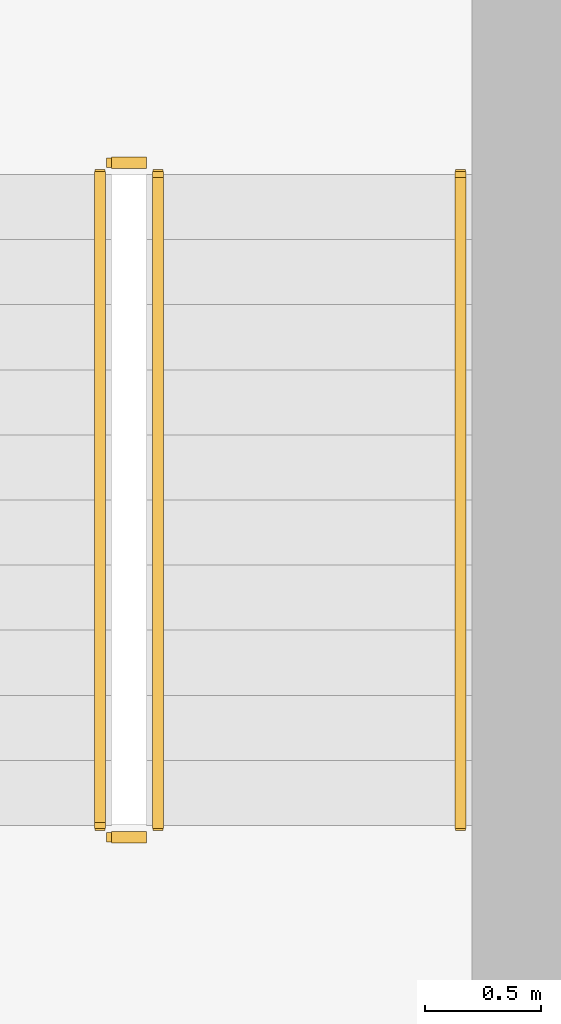
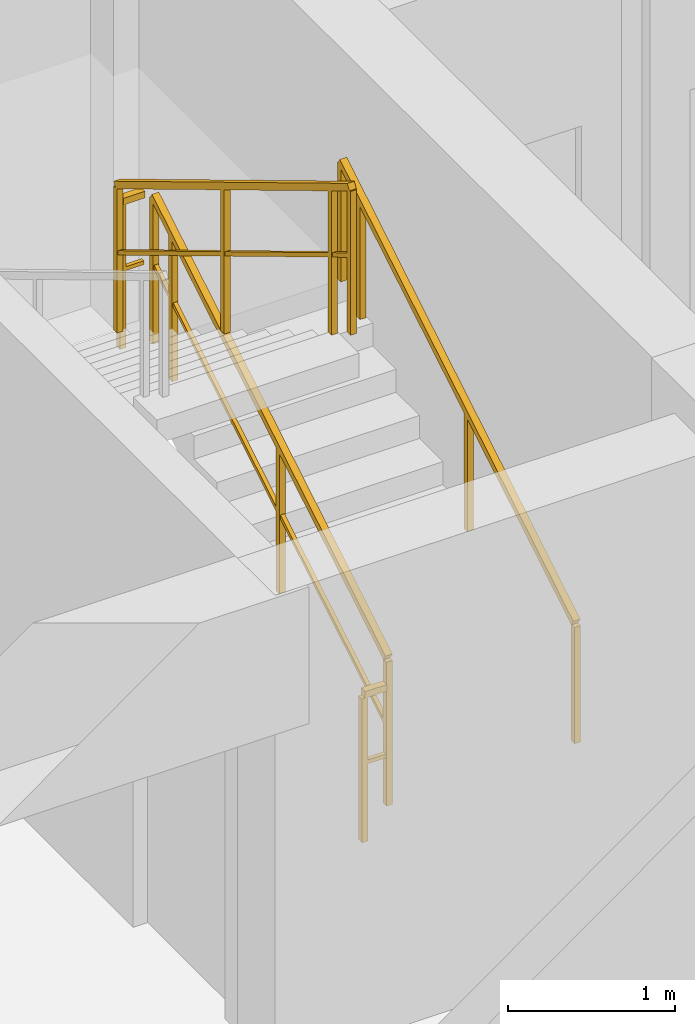
# One storey, part 18 of 19: 5 railings.
"""IFC4 building model written with IfcOpenShell, lengths in metres."""

from ifc_helpers import new_model, si_unit, direction, frame, origin, origin_2d, place, context, subcontext, project, spatial, rectangle, extrude, material, type_object, element, save


model = new_model("IFC4")

# Units and contexts
model_context = context("Model", 3, precision=1e-05, world=origin(), true_north=direction((0.0, 1.0)))
body_context = subcontext(model_context, "Body", "Model", "MODEL_VIEW")
ifc_project = project(units=[si_unit("LENGTHUNIT", "METRE"), si_unit("AREAUNIT", "SQUARE_METRE"), si_unit("VOLUMEUNIT", "CUBIC_METRE"), si_unit("PLANEANGLEUNIT", "RADIAN"), si_unit("MASSUNIT", "GRAM", prefix="KILO")], contexts=[model_context])

# Site, building, storey
site_placement = place(None, origin())
site = spatial("IfcSite", under=ifc_project, at=site_placement, CompositionType="ELEMENT")
building_placement = place(site_placement, origin())
building = spatial("IfcBuilding", under=site, at=building_placement, Name="Kaliganga Portal Commons", CompositionType="ELEMENT")
storey_placement = place(building_placement, frame((0.0, 0.0, 184.60009765625)))
storey = spatial("IfcBuildingStorey", under=building, at=storey_placement, Name="L47", CompositionType="ELEMENT", Elevation=184.60009765625)

# Railings
ifc_material_1 = material(Name="Galvanized Painted Steel Balustrade", Category="steel")
railing_type_1 = type_object("IfcRailingType", Name="RLG-STAIR-GRD", PredefinedType="GUARDRAIL", material=ifc_material_1)
railing_1_placement = place(storey_placement, frame((48.699951171875, 8.699951171875, 0.16796875)))
element("IfcRailing", 1, at=railing_1_placement, inside=storey, type_object=railing_type_1, Name="L47 ST-B2 stair guard 1", PredefinedType="GUARDRAIL", context=body_context, shape_type="SweptSolid", body=[
    extrude(rectangle(XDim=0.048095703125, YDim=0.048095703125, at=origin_2d()), frame((0.0, 0.0, 1.072021484375), z_axis=(0.0, 0.857242210791, 0.514913383045), x_axis=(-1.0, 0.0, 0.0)), (0.0, 0.0, 1.0), 3.266357421875),
    extrude(rectangle(XDim=0.028076171875, YDim=0.028076171875, at=origin_2d()), frame((0.0, 0.0, 0.572021484375), z_axis=(0.0, 0.857242210791, 0.514913383045), x_axis=(-1.0, 0.0, 0.0)), (0.0, 0.0, 1.0), 3.266357421875),
    extrude(rectangle(XDim=0.0419921875, YDim=0.0419921875, at=origin_2d()), origin(), (0.0, 0.0, 1.0), 1.052001953125),
    extrude(rectangle(XDim=0.0419921875, YDim=0.0419921875, at=origin_2d()), frame((0.0, 1.285888671875, 0.7724609375)), (0.0, 0.0, 1.0), 1.052001953125),
    extrude(rectangle(XDim=0.0419921875, YDim=0.0419921875, at=origin_2d()), frame((0.0, 2.57177734375, 1.544677734375)), (0.0, 0.0, 1.0), 1.052001953125),
    extrude(rectangle(XDim=0.0419921875, YDim=0.0419921875, at=origin_2d()), frame((0.0, 2.800048828125, 1.681884765625)), (0.0, 0.0, 1.0), 1.052001953125),
])
railing_2_placement = place(storey_placement, frame((48.64990234375, 11.550048828125, 1.849853515625)))
element("IfcRailing", 2, at=railing_2_placement, inside=storey, type_object=railing_type_1, Name="L47 ST-B2 stair guard 2", PredefinedType="GUARDRAIL", context=body_context, shape_type="SweptSolid", body=[
    extrude(rectangle(XDim=0.048095703125, YDim=0.048095703125, at=origin_2d()), frame((0.0, 0.0, 1.076171875), z_axis=(-1.0, 0.0, 0.0), x_axis=(0.0, -1.0, 0.0)), (0.0, 0.0, 1.0), 0.14990234375),
    extrude(rectangle(XDim=0.028076171875, YDim=0.028076171875, at=origin_2d()), frame((0.0, 0.0, 0.572021484375), z_axis=(-1.0, 0.0, 0.0), x_axis=(0.0, -1.0, 0.0)), (0.0, 0.0, 1.0), 0.14990234375),
    extrude(rectangle(XDim=0.0419921875, YDim=0.0419921875, at=origin_2d()), frame((-0.14990234375, 0.0, 0.0)), (0.0, 0.0, 1.0), 1.052001953125),
])
railing_3_placement = place(storey_placement, frame((48.449951171875, 11.5, 2.01806640625)))
element("IfcRailing", 3, at=railing_3_placement, inside=storey, type_object=railing_type_1, Name="L47 ST-B2 stair guard 3", PredefinedType="GUARDRAIL", context=body_context, shape_type="SweptSolid", body=[
    extrude(rectangle(XDim=0.048095703125, YDim=0.048095703125, at=origin_2d()), frame((0.0, 0.0, 1.072021484375), z_axis=(0.0, -0.857242210791, 0.514913383045), x_axis=(1.0, 0.0, 0.0)), (0.0, 0.0, 1.0), 3.266357421875),
    extrude(rectangle(XDim=0.028076171875, YDim=0.028076171875, at=origin_2d()), frame((0.0, 0.0, 0.572021484375), z_axis=(0.0, -0.857242210791, 0.514913383045), x_axis=(1.0, 0.0, 0.0)), (0.0, 0.0, 1.0), 3.266357421875),
    extrude(rectangle(XDim=0.0419921875, YDim=0.0419921875, at=origin_2d()), origin(), (0.0, 0.0, 1.0), 1.052001953125),
    extrude(rectangle(XDim=0.0419921875, YDim=0.0419921875, at=origin_2d()), frame((0.0, -1.285888671875, 0.7724609375)), (0.0, 0.0, 1.0), 1.052001953125),
    extrude(rectangle(XDim=0.0419921875, YDim=0.0419921875, at=origin_2d()), frame((0.0, -2.57177734375, 1.544677734375)), (0.0, 0.0, 1.0), 1.052001953125),
    extrude(rectangle(XDim=0.0419921875, YDim=0.0419921875, at=origin_2d()), frame((0.0, -2.800048828125, 1.681884765625)), (0.0, 0.0, 1.0), 1.052001953125),
])
railing_4_placement = place(storey_placement, frame((48.64990234375, 8.64990234375, 0.0)))
element("IfcRailing", 4, at=railing_4_placement, inside=storey, type_object=railing_type_1, Name="L47 ST-B2 stair guard 4", PredefinedType="GUARDRAIL", context=body_context, shape_type="SweptSolid", body=[
    extrude(rectangle(XDim=0.048095703125, YDim=0.048095703125, at=origin_2d()), frame((0.0, 0.0, 1.076171875), z_axis=(-1.0, 0.0, 0.0), x_axis=(0.0, -1.0, 0.0)), (0.0, 0.0, 1.0), 0.14990234375),
    extrude(rectangle(XDim=0.028076171875, YDim=0.028076171875, at=origin_2d()), frame((0.0, 0.0, 0.572021484375), z_axis=(-1.0, 0.0, 0.0), x_axis=(0.0, -1.0, 0.0)), (0.0, 0.0, 1.0), 0.14990234375),
    extrude(rectangle(XDim=0.0419921875, YDim=0.0419921875, at=origin_2d()), frame((-0.14990234375, 0.0, 0.0)), (0.0, 0.0, 1.0), 1.052001953125),
])
ifc_material_2 = material(Name="Brushed Stainless Steel 316", Category="steel")
railing_type_2 = type_object("IfcRailingType", Name="RLG-STAIR-HR", PredefinedType="HANDRAIL", material=ifc_material_2)
railing_5_placement = place(storey_placement, frame((50.0, 8.699951171875, 0.16796875)))
element("IfcRailing", 5, at=railing_5_placement, inside=storey, type_object=railing_type_2, Name="L47 ST-B2 stair handrail 1", PredefinedType="HANDRAIL", context=body_context, shape_type="SweptSolid", body=[
    extrude(rectangle(XDim=0.048095703125, YDim=0.048095703125, at=origin_2d()), frame((0.0, 0.0, 0.871826171875), z_axis=(0.0, 0.857242210791, 0.514913383045), x_axis=(-1.0, 0.0, 0.0)), (0.0, 0.0, 1.0), 3.266357421875),
    extrude(rectangle(XDim=0.0419921875, YDim=0.0419921875, at=origin_2d()), origin(), (0.0, 0.0, 1.0), 0.851806640625),
    extrude(rectangle(XDim=0.0419921875, YDim=0.0419921875, at=origin_2d()), frame((0.0, 1.285888671875, 0.7724609375)), (0.0, 0.0, 1.0), 0.851806640625),
    extrude(rectangle(XDim=0.0419921875, YDim=0.0419921875, at=origin_2d()), frame((0.0, 2.57177734375, 1.544677734375)), (0.0, 0.0, 1.0), 0.851806640625),
    extrude(rectangle(XDim=0.0419921875, YDim=0.0419921875, at=origin_2d()), frame((0.0, 2.800048828125, 1.681884765625)), (0.0, 0.0, 1.0), 0.851806640625),
])

save(model, "model.ifc")
